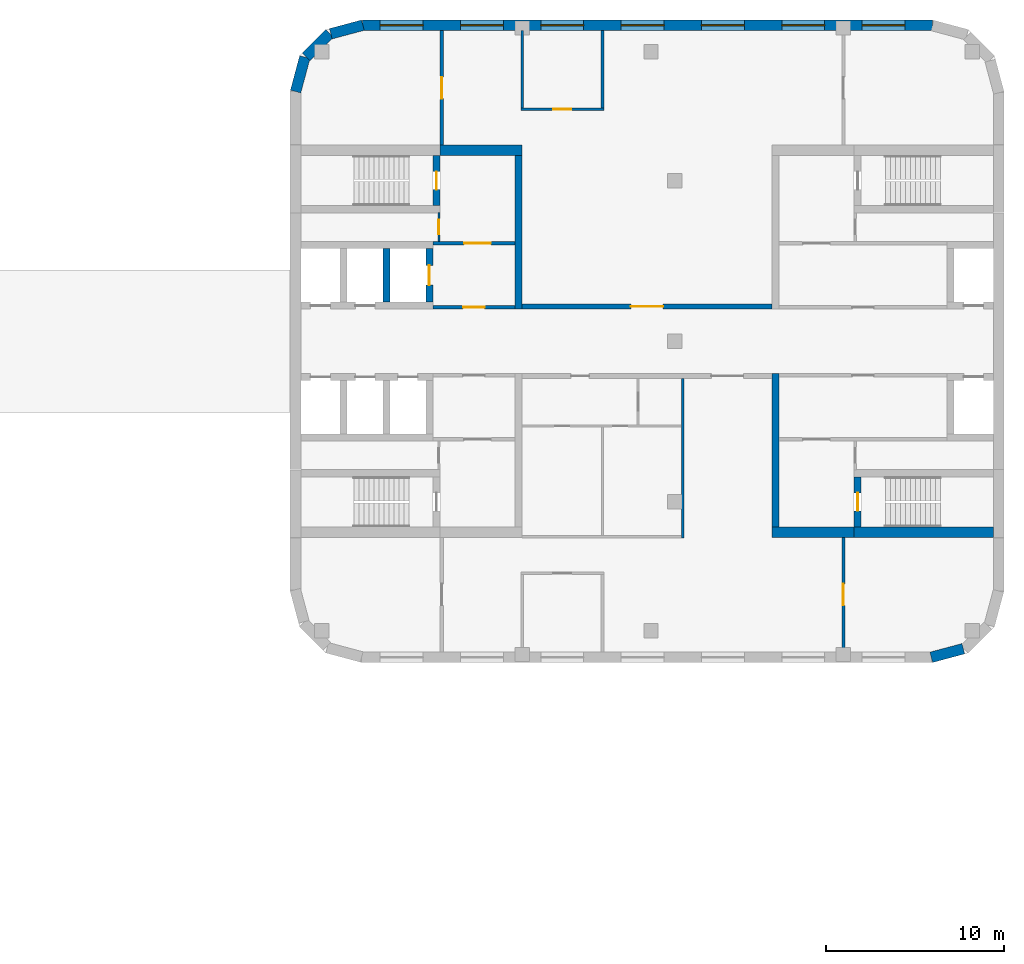
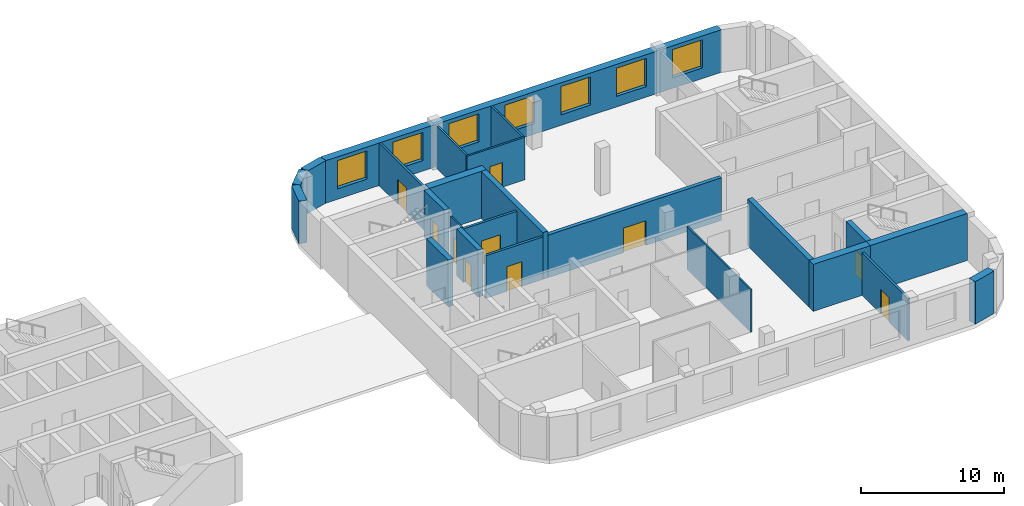
# One storey, part 8 of 12: 24 walls, 10 doors, 7 windows, 17 openings.
"""IFC4 building model written with IfcOpenShell, lengths in metres."""

from ifc_helpers import new_model, si_unit, direction, frame, frame_2d, origin, place, context, subcontext, project, spatial, rectangle, extrude, material, layer, layer_set, type_object, element, fill, save


model = new_model("IFC4")

# Units and contexts
model_context = context("Model", 3, precision=1e-05, world=origin(), true_north=direction((0.0, 1.0)))
body_context = subcontext(model_context, "Body", "Model", "MODEL_VIEW")
ifc_project = project(units=[si_unit("LENGTHUNIT", "METRE"), si_unit("AREAUNIT", "SQUARE_METRE"), si_unit("VOLUMEUNIT", "CUBIC_METRE"), si_unit("PLANEANGLEUNIT", "RADIAN"), si_unit("MASSUNIT", "GRAM", prefix="KILO")], contexts=[model_context])

# Site, building, storey
site_placement = place(None, origin())
site = spatial("IfcSite", under=ifc_project, at=site_placement, CompositionType="ELEMENT")
building_placement = place(site_placement, origin())
building = spatial("IfcBuilding", under=site, at=building_placement, Name="Skarvind Civic Tower", CompositionType="ELEMENT")
storey_placement = place(building_placement, frame((0.0, 0.0, 35.5)))
storey = spatial("IfcBuildingStorey", under=building, at=storey_placement, Name="L07", CompositionType="ELEMENT", Elevation=35.5)

# Wall, opening, door
ifc_material_1 = material(Name="Acoustic gypsum board on steel studs", Category="steel")
ifc_layer_1 = layer(ifc_material_1, 0.175048828125)
ifc_layer_set_1 = layer_set([ifc_layer_1], Name="ACOUSTIC MEETING-ROOM PARTITION 175")
wall_type_1 = type_object("IfcWallType", Name="ACOUSTIC MEETING-ROOM PARTITION 175", PredefinedType="PARTITIONING", material=ifc_layer_set_1)
wall_1_placement = place(storey_placement, frame((135.5, 145.39990234375, 0.0), z_axis=(0.0, 0.0, 1.0), x_axis=(0.0, -1.0, 0.0)))
wall_1 = element("IfcWall", 1, at=wall_1_placement, inside=storey, type_object=wall_type_1, Name="Partition 07.002", PredefinedType="PARTITIONING", context=body_context, shape_type="SweptSolid", body=[
    extrude(rectangle(XDim=6.39990234375, YDim=0.175048828125, at=frame_2d((3.199951171875, 0.0))), origin(), (0.0, 0.0, 1.0), 3.625),
])
opening_1_placement = place(wall_1_placement, frame((2.60009765625, 0.0, 0.0)))
opening_1 = element("IfcOpeningElement", 2, at=opening_1_placement, cuts=wall_1, Name="Opening L07-D103", PredefinedType="OPENING", context=body_context, shape_type="SweptSolid", body=[
    extrude(rectangle(XDim=1.199951171875, YDim=2.10009765625, at=frame_2d((0.60009765625, 1.050048828125))), frame((0.0, 0.097412109375, 0.0), z_axis=(0.0, -1.0, 0.0), x_axis=(1.0, 0.0, 0.0)), (0.0, 0.0, 1.0), 0.195068359375),
])
ifc_material_2 = material(Name="Timber door leaf", Category="wood")
door_type_1 = type_object("IfcDoorType", Name="DOOR 1200X2100 DOUBLE TIMBER", OperationType="NOTDEFINED", PredefinedType="DOOR", material=ifc_material_2)
door_1_placement = place(opening_1_placement, origin())
door_1 = element("IfcDoor", 3, at=door_1_placement, inside=storey, type_object=door_type_1, Name="Door L07-D103", OperationType="DOUBLE_DOOR_SINGLE_SWING", OverallHeight=2.10009765625, OverallWidth=1.199951171875, PredefinedType="DOOR", context=body_context, shape_type="SweptSolid", body=[
    extrude(rectangle(XDim=1.199951171875, YDim=2.10009765625, at=frame_2d((0.60009765625, 1.050048828125))), frame((0.0, 0.02490234375, 0.0), z_axis=(0.0, -1.0, 0.0), x_axis=(1.0, 0.0, 0.0)), (0.0, 0.0, 1.0), 0.050048828125),
])
fill(opening_1, door_1)

wall_2_placement = place(storey_placement, frame((158.0, 110.60009765625, 0.0), z_axis=(0.0, 0.0, 1.0), x_axis=(0.0, 1.0, 0.0)))
wall_2 = element("IfcWall", 4, at=wall_2_placement, inside=storey, type_object=wall_type_1, Name="Partition 07.016", PredefinedType="PARTITIONING", context=body_context, shape_type="SweptSolid", body=[
    extrude(rectangle(XDim=6.39990234375, YDim=0.175048828125, at=frame_2d((3.199951171875, 0.0))), origin(), (0.0, 0.0, 1.0), 3.625),
])
opening_2_placement = place(wall_2_placement, frame((2.60009765625, 0.0, 0.0)))
opening_2 = element("IfcOpeningElement", 5, at=opening_2_placement, cuts=wall_2, Name="Opening L07-D112", PredefinedType="OPENING", context=body_context, shape_type="SweptSolid", body=[
    extrude(rectangle(XDim=1.199951171875, YDim=2.10009765625, at=frame_2d((0.60009765625, 1.050048828125))), frame((0.0, 0.097412109375, 0.0), z_axis=(0.0, -1.0, 0.0), x_axis=(1.0, 0.0, 0.0)), (0.0, 0.0, 1.0), 0.195068359375),
])
door_2_placement = place(opening_2_placement, origin())
door_2 = element("IfcDoor", 6, at=door_2_placement, inside=storey, type_object=door_type_1, Name="Door L07-D112", OperationType="DOUBLE_DOOR_SINGLE_SWING", OverallHeight=2.10009765625, OverallWidth=1.199951171875, PredefinedType="DOOR", context=body_context, shape_type="SweptSolid", body=[
    extrude(rectangle(XDim=1.199951171875, YDim=2.10009765625, at=frame_2d((0.60009765625, 1.050048828125))), frame((0.0, 0.02490234375, 0.0), z_axis=(0.0, -1.0, 0.0), x_axis=(1.0, 0.0, 0.0)), (0.0, 0.0, 1.0), 0.050048828125),
])
fill(opening_2, door_2)

ifc_material_3 = material(Name="Fire-rated gypsum board on steel studs", Category="steel")
ifc_layer_2 = layer(ifc_material_3, 0.300048828125)
ifc_layer_set_2 = layer_set([ifc_layer_2], Name="CORRIDOR WALL 300")
wall_type_2 = type_object("IfcWallType", Name="CORRIDOR WALL 300", PredefinedType="PARTITIONING", material=ifc_layer_set_2)
wall_3_placement = place(storey_placement, frame((140.0, 129.949951171875, 0.0), z_axis=(0.0, 0.0, 1.0), x_axis=(1.0, 0.0, 0.0)))
wall_3 = element("IfcWall", 7, at=wall_3_placement, inside=storey, type_object=wall_type_2, Name="Partition 07.007", PredefinedType="PARTITIONING", context=body_context, shape_type="SweptSolid", body=[
    extrude(rectangle(XDim=14.0, YDim=0.300048828125, at=frame_2d((7.0, 0.0))), origin(), (0.0, 0.0, 1.0), 3.625),
])
opening_3_placement = place(wall_3_placement, frame((6.10009765625, 0.0, 0.0)))
opening_3 = element("IfcOpeningElement", 8, at=opening_3_placement, cuts=wall_3, Name="Opening L07-D101", PredefinedType="OPENING", context=body_context, shape_type="SweptSolid", body=[
    extrude(rectangle(XDim=1.800048828125, YDim=2.10009765625, at=frame_2d((0.89990234375, 1.050048828125))), frame((0.0, 0.159912109375, 0.0), z_axis=(0.0, -1.0, 0.0), x_axis=(1.0, 0.0, 0.0)), (0.0, 0.0, 1.0), 0.320068359375),
])
ifc_material_4 = material(Name="Fire-rated timber door leaf", Category="wood")
door_type_2 = type_object("IfcDoorType", Name="FD4 1800x2100", OperationType="NOTDEFINED", PredefinedType="DOOR", material=ifc_material_4)
door_3_placement = place(opening_3_placement, origin())
door_3 = element("IfcDoor", 9, at=door_3_placement, inside=storey, type_object=door_type_2, Name="Door L07-D101", OperationType="DOUBLE_DOOR_SINGLE_SWING", OverallHeight=2.10009765625, OverallWidth=1.800048828125, PredefinedType="DOOR", context=body_context, shape_type="SweptSolid", body=[
    extrude(rectangle(XDim=1.800048828125, YDim=2.10009765625, at=frame_2d((0.89990234375, 1.050048828125))), frame((0.0, 0.02490234375, 0.0), z_axis=(0.0, -1.0, 0.0), x_axis=(1.0, 0.0, 0.0)), (0.0, 0.0, 1.0), 0.050048828125),
])
fill(opening_3, door_3)

ifc_material_5 = material(Name="Fire-rated masonry partition", Category="masonry")
ifc_layer_3 = layer(ifc_material_5, 0.199951171875)
ifc_layer_set_3 = layer_set([ifc_layer_3], Name="Core enclosure wall 200")
wall_type_3 = type_object("IfcWallType", Name="Core enclosure wall 200", PredefinedType="PARTITIONING", material=ifc_layer_set_3)
wall_4_placement = place(storey_placement, frame((135.0, 129.89990234375, 0.0), z_axis=(0.0, 0.0, 1.0), x_axis=(1.0, 0.0, 0.0)))
wall_4 = element("IfcWall", 10, at=wall_4_placement, inside=storey, type_object=wall_type_3, Name="Core wall CA", PredefinedType="PARTITIONING", context=body_context, shape_type="SweptSolid", body=[
    extrude(rectangle(XDim=4.60009765625, YDim=0.199951171875, at=frame_2d((2.300048828125, 0.0))), origin(), (0.0, 0.0, 1.0), 3.625),
])
opening_4_placement = place(wall_4_placement, frame((1.699951171875, 0.0, 0.0)))
opening_4 = element("IfcOpeningElement", 11, at=opening_4_placement, cuts=wall_4, Name="Opening D-L07-CA-06", PredefinedType="OPENING", context=body_context, shape_type="SweptSolid", body=[
    extrude(rectangle(XDim=1.199951171875, YDim=2.10009765625, at=frame_2d((0.60009765625, 1.050048828125))), frame((0.0, 0.10986328125, 0.0), z_axis=(0.0, -1.0, 0.0), x_axis=(1.0, 0.0, 0.0)), (0.0, 0.0, 1.0), 0.219970703125),
])
ifc_material_6 = material(Name="Fire-rated steel door", Category="steel")
door_type_3 = type_object("IfcDoorType", Name="Core lobby door 1200", OperationType="NOTDEFINED", PredefinedType="DOOR", material=ifc_material_6)
door_4_placement = place(opening_4_placement, origin())
door_4 = element("IfcDoor", 12, at=door_4_placement, inside=storey, type_object=door_type_3, Name="Fire door", OperationType="DOUBLE_DOOR_SINGLE_SWING", OverallHeight=2.10009765625, OverallWidth=1.199951171875, PredefinedType="DOOR", context=body_context, shape_type="SweptSolid", body=[
    extrude(rectangle(XDim=1.199951171875, YDim=2.10009765625, at=frame_2d((0.60009765625, 1.050048828125))), frame((0.0, 0.02490234375, 0.0), z_axis=(0.0, -1.0, 0.0), x_axis=(1.0, 0.0, 0.0)), (0.0, 0.0, 1.0), 0.050048828125),
])
fill(opening_4, door_4)

wall_5_placement = place(storey_placement, frame((135.0, 133.5, 0.0), z_axis=(0.0, 0.0, 1.0), x_axis=(1.0, 0.0, 0.0)))
wall_5 = element("IfcWall", 13, at=wall_5_placement, inside=storey, type_object=wall_type_3, Name="Core wall CA", PredefinedType="PARTITIONING", context=body_context, shape_type="SweptSolid", body=[
    extrude(rectangle(XDim=4.60009765625, YDim=0.199951171875, at=frame_2d((2.300048828125, 0.0))), origin(), (0.0, 0.0, 1.0), 3.625),
])
opening_5_placement = place(wall_5_placement, frame((1.75, 0.0, 0.0)))
opening_5 = element("IfcOpeningElement", 14, at=opening_5_placement, cuts=wall_5, Name="Opening D-L07-CA-07", PredefinedType="OPENING", context=body_context, shape_type="SweptSolid", body=[
    extrude(rectangle(XDim=1.5, YDim=2.10009765625, at=frame_2d((0.75, 1.050048828125))), frame((0.0, 0.10986328125, 0.0), z_axis=(0.0, -1.0, 0.0), x_axis=(1.0, 0.0, 0.0)), (0.0, 0.0, 1.0), 0.219970703125),
])
door_type_4 = type_object("IfcDoorType", Name="Fire door 1500", OperationType="NOTDEFINED", PredefinedType="DOOR", material=ifc_material_6)
door_5_placement = place(opening_5_placement, origin())
door_5 = element("IfcDoor", 15, at=door_5_placement, inside=storey, type_object=door_type_4, Name="Fire door", OperationType="DOUBLE_DOOR_SINGLE_SWING", OverallHeight=2.10009765625, OverallWidth=1.5, PredefinedType="DOOR", context=body_context, shape_type="SweptSolid", body=[
    extrude(rectangle(XDim=1.5, YDim=2.10009765625, at=frame_2d((0.75, 1.050048828125))), frame((0.0, 0.02490234375, 0.0), z_axis=(0.0, -1.0, 0.0), x_axis=(1.0, 0.0, 0.0)), (0.0, 0.0, 1.0), 0.050048828125),
])
fill(opening_5, door_5)

ifc_material_7 = material(Name="Concrete C80", Category="concrete")
ifc_layer_4 = layer(ifc_material_7, 0.39990234375)
ifc_layer_set_4 = layer_set([ifc_layer_4], Name="Core wall 400 C80")
wall_type_4 = type_object("IfcWallType", Name="Core wall 400 C80", PredefinedType="SHEAR", material=ifc_layer_set_4)
wall_6_placement = place(storey_placement, frame((135.199951171875, 135.60009765625, 0.0), z_axis=(0.0, 0.0, 1.0), x_axis=(0.0, 1.0, 0.0)))
wall_6 = element("IfcWall", 16, at=wall_6_placement, inside=storey, type_object=wall_type_4, Name="Core wall CA north stair end L07", PredefinedType="SHEAR", context=body_context, shape_type="SweptSolid", body=[
    extrude(rectangle(XDim=2.7998046875, YDim=0.39990234375, at=frame_2d((1.39990234375, 0.0))), origin(), (0.0, 0.0, 1.0), 4.0),
])
opening_6_placement = place(wall_6_placement, frame((0.89990234375, 0.0, 0.0)))
opening_6 = element("IfcOpeningElement", 17, at=opening_6_placement, cuts=wall_6, Name="Opening D-L07-CA-08", PredefinedType="OPENING", context=body_context, shape_type="SweptSolid", body=[
    extrude(rectangle(XDim=1.0, YDim=2.10009765625, at=frame_2d((0.5, 1.050048828125))), frame((0.0, 0.2099609375, 0.0), z_axis=(0.0, -1.0, 0.0), x_axis=(1.0, 0.0, 0.0)), (0.0, 0.0, 1.0), 0.419921875),
])
door_type_5 = type_object("IfcDoorType", Name="Fire door 1000", OperationType="NOTDEFINED", PredefinedType="DOOR", material=ifc_material_6)
door_6_placement = place(opening_6_placement, origin())
door_6 = element("IfcDoor", 18, at=door_6_placement, inside=storey, type_object=door_type_5, Name="Fire door", OperationType="SINGLE_SWING_LEFT", OverallHeight=2.10009765625, OverallWidth=1.0, PredefinedType="DOOR", context=body_context, shape_type="SweptSolid", body=[
    extrude(rectangle(XDim=1.0, YDim=2.10009765625, at=frame_2d((0.5, 1.050048828125))), frame((0.0, 0.02490234375, 0.0), z_axis=(0.0, -1.0, 0.0), x_axis=(1.0, 0.0, 0.0)), (0.0, 0.0, 1.0), 0.050048828125),
])
fill(opening_6, door_6)

# Wall
wall_7_placement = place(storey_placement, frame((132.39990234375, 130.199951171875, 0.0), z_axis=(0.0, 0.0, 1.0), x_axis=(0.0, 1.0, 0.0)))
element("IfcWall", 19, at=wall_7_placement, inside=storey, type_object=wall_type_4, Name="Core wall CA north lift row division 2 L07", PredefinedType="SHEAR", context=body_context, shape_type="SweptSolid", body=[
    extrude(rectangle(XDim=3.0, YDim=0.39990234375, at=frame_2d((1.5, 0.0))), origin(), (0.0, 0.0, 1.0), 4.0),
])

# Wall, opening, door
wall_8_placement = place(storey_placement, frame((134.800048828125, 130.199951171875, 0.0), z_axis=(0.0, 0.0, 1.0), x_axis=(0.0, 1.0, 0.0)))
wall_8 = element("IfcWall", 20, at=wall_8_placement, inside=storey, type_object=wall_type_4, Name="Core wall CA north lift row division 3 L07", PredefinedType="SHEAR", context=body_context, shape_type="SweptSolid", body=[
    extrude(rectangle(XDim=3.0, YDim=0.39990234375, at=frame_2d((1.5, 0.0))), origin(), (0.0, 0.0, 1.0), 4.0),
])
opening_7_placement = place(wall_8_placement, frame((0.949951171875, 0.0, 0.0)))
opening_7 = element("IfcOpeningElement", 21, at=opening_7_placement, cuts=wall_8, Name="Opening LD09303", PredefinedType="OPENING", context=body_context, shape_type="SweptSolid", body=[
    extrude(rectangle(XDim=1.10009765625, YDim=2.10009765625, at=frame_2d((0.550048828125, 1.050048828125))), frame((0.0, 0.2099609375, 0.0), z_axis=(0.0, -1.0, 0.0), x_axis=(1.0, 0.0, 0.0)), (0.0, 0.0, 1.0), 0.419921875),
])
ifc_material_8 = material(Name="Stainless steel landing door", Category="steel")
door_type_6 = type_object("IfcDoorType", Name="Lift landing door 1100", OperationType="DOUBLE_DOOR_SLIDING", PredefinedType="DOOR", material=ifc_material_8)
door_7_placement = place(opening_7_placement, origin())
door_7 = element("IfcDoor", 22, at=door_7_placement, inside=storey, type_object=door_type_6, Name="Lift landing door", OperationType="DOUBLE_DOOR_SLIDING", OverallHeight=2.10009765625, OverallWidth=1.10009765625, PredefinedType="DOOR", context=body_context, shape_type="SweptSolid", body=[
    extrude(rectangle(XDim=1.10009765625, YDim=2.10009765625, at=frame_2d((0.550048828125, 1.050048828125))), frame((0.0, 0.02490234375, 0.0), z_axis=(0.0, -1.0, 0.0), x_axis=(1.0, 0.0, 0.0)), (0.0, 0.0, 1.0), 0.050048828125),
])
fill(opening_7, door_7)

# Wall
wall_9_placement = place(storey_placement, frame((139.800048828125, 129.800048828125, 0.0), z_axis=(0.0, 0.0, 1.0), x_axis=(0.0, 1.0, 0.0)))
element("IfcWall", 23, at=wall_9_placement, inside=storey, type_object=wall_type_4, Name="Core wall CA north inner face L07", PredefinedType="SHEAR", context=body_context, shape_type="SweptSolid", body=[
    extrude(rectangle(XDim=8.599853515625, YDim=0.39990234375, at=frame_2d((4.2998046875, 0.0))), origin(), (0.0, 0.0, 1.0), 4.0),
])

# Wall, opening, door
wall_10_placement = place(storey_placement, frame((158.800048828125, 120.39990234375, 0.0), z_axis=(0.0, 0.0, 1.0), x_axis=(0.0, -1.0, 0.0)))
wall_10 = element("IfcWall", 24, at=wall_10_placement, inside=storey, type_object=wall_type_4, Name="Core wall CB north stair end L07", PredefinedType="SHEAR", context=body_context, shape_type="SweptSolid", body=[
    extrude(rectangle(XDim=2.7998046875, YDim=0.39990234375, at=frame_2d((1.39990234375, 0.0))), origin(), (0.0, 0.0, 1.0), 4.0),
])
opening_8_placement = place(wall_10_placement, frame((0.89990234375, 0.0, 0.0)))
opening_8 = element("IfcOpeningElement", 25, at=opening_8_placement, cuts=wall_10, Name="Opening D-L07-CB-05", PredefinedType="OPENING", context=body_context, shape_type="SweptSolid", body=[
    extrude(rectangle(XDim=1.0, YDim=2.10009765625, at=frame_2d((0.5, 1.050048828125))), frame((0.0, 0.2099609375, 0.0), z_axis=(0.0, -1.0, 0.0), x_axis=(1.0, 0.0, 0.0)), (0.0, 0.0, 1.0), 0.419921875),
])
door_8_placement = place(opening_8_placement, origin())
door_8 = element("IfcDoor", 26, at=door_8_placement, inside=storey, type_object=door_type_5, Name="Fire door", OperationType="SINGLE_SWING_LEFT", OverallHeight=2.10009765625, OverallWidth=1.0, PredefinedType="DOOR", context=body_context, shape_type="SweptSolid", body=[
    extrude(rectangle(XDim=1.0, YDim=2.10009765625, at=frame_2d((0.5, 1.050048828125))), frame((0.0, 0.02490234375, 0.0), z_axis=(0.0, -1.0, 0.0), x_axis=(1.0, 0.0, 0.0)), (0.0, 0.0, 1.0), 0.050048828125),
])
fill(opening_8, door_8)

# Walls
wall_11_placement = place(storey_placement, frame((154.199951171875, 126.199951171875, 0.0), z_axis=(0.0, 0.0, 1.0), x_axis=(0.0, -1.0, 0.0)))
element("IfcWall", 27, at=wall_11_placement, inside=storey, type_object=wall_type_4, Name="Core wall CB north inner face L07", PredefinedType="SHEAR", context=body_context, shape_type="SweptSolid", body=[
    extrude(rectangle(XDim=8.599853515625, YDim=0.39990234375, at=frame_2d((4.2998046875, 0.0))), origin(), (0.0, 0.0, 1.0), 4.0),
])
ifc_layer_5 = layer(ifc_material_7, 0.60009765625)
ifc_layer_set_5 = layer_set([ifc_layer_5], Name="Core wall 600 C80")
wall_type_5 = type_object("IfcWallType", Name="Core wall 600 C80", PredefinedType="SHEAR", material=ifc_layer_set_5)
wall_12_placement = place(storey_placement, frame((135.39990234375, 138.699951171875, 0.0), z_axis=(0.0, 0.0, 1.0), x_axis=(1.0, 0.0, 0.0)))
element("IfcWall", 28, at=wall_12_placement, inside=storey, type_object=wall_type_5, Name="Core wall CA north side L07", PredefinedType="SHEAR", context=body_context, shape_type="SweptSolid", body=[
    extrude(rectangle(XDim=4.60009765625, YDim=0.60009765625, at=frame_2d((2.300048828125, 0.0))), origin(), (0.0, 0.0, 1.0), 4.0),
])
wall_13_placement = place(storey_placement, frame((166.39990234375, 117.300048828125, 0.0), z_axis=(0.0, 0.0, 1.0), x_axis=(-1.0, 0.0, 0.0)))
element("IfcWall", 29, at=wall_13_placement, inside=storey, type_object=wall_type_5, Name="Core wall CB north side at the stair L07", PredefinedType="SHEAR", context=body_context, shape_type="SweptSolid", body=[
    extrude(rectangle(XDim=7.7998046875, YDim=0.60009765625, at=frame_2d((3.89990234375, 0.0))), origin(), (0.0, 0.0, 1.0), 4.0),
])
wall_14_placement = place(storey_placement, frame((158.60009765625, 117.300048828125, 0.0), z_axis=(0.0, 0.0, 1.0), x_axis=(-1.0, 0.0, 0.0)))
element("IfcWall", 30, at=wall_14_placement, inside=storey, type_object=wall_type_5, Name="Core wall CB north side L07", PredefinedType="SHEAR", context=body_context, shape_type="SweptSolid", body=[
    extrude(rectangle(XDim=4.60009765625, YDim=0.60009765625, at=frame_2d((2.300048828125, 0.0))), origin(), (0.0, 0.0, 1.0), 4.0),
])
ifc_material_9 = material(Name="Plasterboard partition on steel studs", Category="steel")
ifc_layer_6 = layer(ifc_material_9, 0.14990234375)
ifc_layer_set_6 = layer_set([ifc_layer_6], Name="PARTITION 150")
wall_type_6 = type_object("IfcWallType", Name="PARTITION 150", PredefinedType="PARTITIONING", material=ifc_layer_set_6)
wall_15_placement = place(storey_placement, frame((140.0, 141.074951171875, 0.0), z_axis=(0.0, 0.0, 1.0), x_axis=(0.0, 1.0, 0.0)))
element("IfcWall", 31, at=wall_15_placement, inside=storey, type_object=wall_type_6, Name="Partition 07.008", PredefinedType="PARTITIONING", context=body_context, shape_type="SweptSolid", body=[
    extrude(rectangle(XDim=4.324951171875, YDim=0.14990234375, at=frame_2d((2.16259765625, 0.0))), origin(), (0.0, 0.0, 1.0), 3.625),
])

# Wall, opening, door
wall_16_placement = place(storey_placement, frame((144.574951171875, 141.0, 0.0), z_axis=(0.0, 0.0, 1.0), x_axis=(-1.0, 0.0, 0.0)))
wall_16 = element("IfcWall", 32, at=wall_16_placement, inside=storey, type_object=wall_type_6, Name="Partition 07.011", PredefinedType="PARTITIONING", context=body_context, shape_type="SweptSolid", body=[
    extrude(rectangle(XDim=4.64990234375, YDim=0.14990234375, at=frame_2d((2.324951171875, 0.0))), origin(), (0.0, 0.0, 1.0), 3.625),
])
opening_9_placement = place(wall_16_placement, frame((1.824951171875, 0.0, 0.0)))
opening_9 = element("IfcOpeningElement", 33, at=opening_9_placement, cuts=wall_16, Name="Opening L07-D102", PredefinedType="OPENING", context=body_context, shape_type="SweptSolid", body=[
    extrude(rectangle(XDim=1.0, YDim=2.10009765625, at=frame_2d((0.5, 1.050048828125))), frame((0.0, 0.0849609375, 0.0), z_axis=(0.0, -1.0, 0.0), x_axis=(1.0, 0.0, 0.0)), (0.0, 0.0, 1.0), 0.169921875),
])
door_type_7 = type_object("IfcDoorType", Name="D1 1000x2100", OperationType="NOTDEFINED", PredefinedType="DOOR", material=ifc_material_2)
door_9_placement = place(opening_9_placement, origin())
door_9 = element("IfcDoor", 34, at=door_9_placement, inside=storey, type_object=door_type_7, Name="Door L07-D102", OperationType="SINGLE_SWING_LEFT", OverallHeight=2.10009765625, OverallWidth=1.0, PredefinedType="DOOR", context=body_context, shape_type="SweptSolid", body=[
    extrude(rectangle(XDim=1.0, YDim=2.10009765625, at=frame_2d((0.5, 1.050048828125))), frame((0.0, 0.02490234375, 0.0), z_axis=(0.0, -1.0, 0.0), x_axis=(1.0, 0.0, 0.0)), (0.0, 0.0, 1.0), 0.050048828125),
])
fill(opening_9, door_9)

# Wall
wall_17_placement = place(storey_placement, frame((144.5, 145.39990234375, 0.0), z_axis=(0.0, 0.0, 1.0), x_axis=(0.0, -1.0, 0.0)))
element("IfcWall", 35, at=wall_17_placement, inside=storey, type_object=wall_type_6, Name="Partition 07.012", PredefinedType="PARTITIONING", context=body_context, shape_type="SweptSolid", body=[
    extrude(rectangle(XDim=4.324951171875, YDim=0.14990234375, at=frame_2d((2.16259765625, 0.0))), origin(), (0.0, 0.0, 1.0), 3.625),
])

# Wall, opening, door
ifc_layer_7 = layer(ifc_material_5, 0.125)
ifc_layer_set_7 = layer_set([ifc_layer_7], Name="Riser wall 125")
wall_type_7 = type_object("IfcWallType", Name="Riser wall 125", PredefinedType="PARTITIONING", material=ifc_layer_set_7)
wall_18_placement = place(storey_placement, frame((135.33740234375, 135.199951171875, 0.0), z_axis=(0.0, 0.0, 1.0), x_axis=(0.0, -1.0, 0.0)))
wall_18 = element("IfcWall", 36, at=wall_18_placement, inside=storey, type_object=wall_type_7, Name="Core wall CA", PredefinedType="PARTITIONING", context=body_context, shape_type="SweptSolid", body=[
    extrude(rectangle(XDim=1.599853515625, YDim=0.125, at=frame_2d((0.7998046875, 0.0))), origin(), (0.0, 0.0, 1.0), 3.625),
])
opening_10_placement = place(wall_18_placement, frame((0.39990234375, 0.0, 0.0)))
opening_10 = element("IfcOpeningElement", 37, at=opening_10_placement, cuts=wall_18, Name="Opening D-L07-CA-09", PredefinedType="OPENING", context=body_context, shape_type="SweptSolid", body=[
    extrude(rectangle(XDim=0.800048828125, YDim=2.10009765625, at=frame_2d((0.39990234375, 1.050048828125))), frame((0.0, 0.072509765625, 0.0), z_axis=(0.0, -1.0, 0.0), x_axis=(1.0, 0.0, 0.0)), (0.0, 0.0, 1.0), 0.14501953125),
])
door_type_8 = type_object("IfcDoorType", Name="Core riser door 800", OperationType="NOTDEFINED", PredefinedType="DOOR", material=ifc_material_6)
door_10_placement = place(opening_10_placement, origin())
door_10 = element("IfcDoor", 38, at=door_10_placement, inside=storey, type_object=door_type_8, Name="Riser door", OperationType="SINGLE_SWING_RIGHT", OverallHeight=2.10009765625, OverallWidth=0.800048828125, PredefinedType="DOOR", context=body_context, shape_type="SweptSolid", body=[
    extrude(rectangle(XDim=0.800048828125, YDim=2.10009765625, at=frame_2d((0.39990234375, 1.050048828125))), frame((0.0, 0.02490234375, 0.0), z_axis=(0.0, -1.0, 0.0), x_axis=(1.0, 0.0, 0.0)), (0.0, 0.0, 1.0), 0.050048828125),
])
fill(opening_10, door_10)

# Wall
ifc_material_10 = material(Name="Moisture-resistant gypsum board on steel studs", Category="steel")
ifc_layer_8 = layer(ifc_material_10, 0.125)
ifc_layer_set_8 = layer_set([ifc_layer_8], Name="WC PARTITION 125")
wall_type_8 = type_object("IfcWallType", Name="WC PARTITION 125", PredefinedType="PARTITIONING", material=ifc_layer_set_8)
wall_19_placement = place(storey_placement, frame((149.0, 116.988037109375, 0.0), z_axis=(0.0, 0.0, 1.0), x_axis=(0.0, 1.0, 0.0)))
element("IfcWall", 39, at=wall_19_placement, inside=storey, type_object=wall_type_8, Name="Partition 07.014", PredefinedType="PARTITIONING", context=body_context, shape_type="SweptSolid", body=[
    extrude(rectangle(XDim=8.911865234375, YDim=0.125, at=frame_2d((4.4560546875, 0.0))), origin(), (0.0, 0.0, 1.0), 3.625),
])

# Wall, openings, windows
ifc_material_11 = material(Name="Limestone masonry cladding on insulated backing", Category="masonry")
ifc_layer_9 = layer(ifc_material_11, 0.60009765625)
ifc_layer_set_9 = layer_set([ifc_layer_9], Name="WX1 STONE FACADE WALL 600")
wall_type_9 = type_object("IfcWallType", Name="WX1 STONE FACADE WALL 600", PredefinedType="SOLIDWALL", material=ifc_layer_set_9)
wall_20_placement = place(storey_placement, frame((131.070068359375, 145.699951171875, 0.0), z_axis=(0.0, 0.0, 1.0), x_axis=(1.0, 0.0, 0.0)))
wall_20 = element("IfcWall", 40, at=wall_20_placement, inside=storey, type_object=wall_type_9, Name="STONE FACADE WALL", PredefinedType="SOLIDWALL", context=body_context, shape_type="SweptSolid", body=[
    extrude(rectangle(XDim=31.929931640625, YDim=0.60009765625, at=frame_2d((15.96484375, 0.0))), origin(), (0.0, 0.0, 1.0), 3.625),
])
opening_11_placement = place(wall_20_placement, frame((0.97998046875, 0.0, 0.89990234375)))
opening_11 = element("IfcOpeningElement", 41, at=opening_11_placement, cuts=wall_20, Name="Opening WN9", PredefinedType="OPENING", context=body_context, shape_type="SweptSolid", body=[
    extrude(rectangle(XDim=2.39990234375, YDim=2.39990234375, at=frame_2d((1.199951171875, 1.199951171875))), frame((0.0, 0.31005859375, 0.0), z_axis=(0.0, -1.0, 0.0), x_axis=(1.0, 0.0, 0.0)), (0.0, 0.0, 1.0), 0.6201171875),
])
opening_12_placement = place(wall_20_placement, frame((5.47998046875, 0.0, 0.89990234375)))
opening_12 = element("IfcOpeningElement", 42, at=opening_12_placement, cuts=wall_20, Name="Opening WN9", PredefinedType="OPENING", context=body_context, shape_type="SweptSolid", body=[
    extrude(rectangle(XDim=2.39990234375, YDim=2.39990234375, at=frame_2d((1.199951171875, 1.199951171875))), frame((0.0, 0.31005859375, 0.0), z_axis=(0.0, -1.0, 0.0), x_axis=(1.0, 0.0, 0.0)), (0.0, 0.0, 1.0), 0.6201171875),
])
opening_13_placement = place(wall_20_placement, frame((9.97998046875, 0.0, 0.89990234375)))
opening_13 = element("IfcOpeningElement", 43, at=opening_13_placement, cuts=wall_20, Name="Opening WN9", PredefinedType="OPENING", context=body_context, shape_type="SweptSolid", body=[
    extrude(rectangle(XDim=2.39990234375, YDim=2.39990234375, at=frame_2d((1.199951171875, 1.199951171875))), frame((0.0, 0.31005859375, 0.0), z_axis=(0.0, -1.0, 0.0), x_axis=(1.0, 0.0, 0.0)), (0.0, 0.0, 1.0), 0.6201171875),
])
opening_14_placement = place(wall_20_placement, frame((14.47998046875, 0.0, 0.89990234375)))
opening_14 = element("IfcOpeningElement", 44, at=opening_14_placement, cuts=wall_20, Name="Opening WN9", PredefinedType="OPENING", context=body_context, shape_type="SweptSolid", body=[
    extrude(rectangle(XDim=2.39990234375, YDim=2.39990234375, at=frame_2d((1.199951171875, 1.199951171875))), frame((0.0, 0.31005859375, 0.0), z_axis=(0.0, -1.0, 0.0), x_axis=(1.0, 0.0, 0.0)), (0.0, 0.0, 1.0), 0.6201171875),
])
opening_15_placement = place(wall_20_placement, frame((18.97998046875, 0.0, 0.89990234375)))
opening_15 = element("IfcOpeningElement", 45, at=opening_15_placement, cuts=wall_20, Name="Opening WN9", PredefinedType="OPENING", context=body_context, shape_type="SweptSolid", body=[
    extrude(rectangle(XDim=2.39990234375, YDim=2.39990234375, at=frame_2d((1.199951171875, 1.199951171875))), frame((0.0, 0.31005859375, 0.0), z_axis=(0.0, -1.0, 0.0), x_axis=(1.0, 0.0, 0.0)), (0.0, 0.0, 1.0), 0.6201171875),
])
opening_16_placement = place(wall_20_placement, frame((23.47998046875, 0.0, 0.89990234375)))
opening_16 = element("IfcOpeningElement", 46, at=opening_16_placement, cuts=wall_20, Name="Opening WN9", PredefinedType="OPENING", context=body_context, shape_type="SweptSolid", body=[
    extrude(rectangle(XDim=2.39990234375, YDim=2.39990234375, at=frame_2d((1.199951171875, 1.199951171875))), frame((0.0, 0.31005859375, 0.0), z_axis=(0.0, -1.0, 0.0), x_axis=(1.0, 0.0, 0.0)), (0.0, 0.0, 1.0), 0.6201171875),
])
opening_17_placement = place(wall_20_placement, frame((27.97998046875, 0.0, 0.89990234375)))
opening_17 = element("IfcOpeningElement", 47, at=opening_17_placement, cuts=wall_20, Name="Opening WN9", PredefinedType="OPENING", context=body_context, shape_type="SweptSolid", body=[
    extrude(rectangle(XDim=2.39990234375, YDim=2.39990234375, at=frame_2d((1.199951171875, 1.199951171875))), frame((0.0, 0.31005859375, 0.0), z_axis=(0.0, -1.0, 0.0), x_axis=(1.0, 0.0, 0.0)), (0.0, 0.0, 1.0), 0.6201171875),
])
ifc_material_12 = material(Name="Timber frame, double glazing, timber-lined reveal", Category="wood")
window_type = type_object("IfcWindowType", Name="WN9 COMPANION TOWER WINDOW 2400 x 2400", PartitioningType="SINGLE_PANEL", PredefinedType="WINDOW", material=ifc_material_12)
window_1_placement = place(opening_11_placement, origin())
window_1 = element("IfcWindow", 48, at=window_1_placement, inside=storey, type_object=window_type, Name="WN9 WINDOW", OverallHeight=2.39990234375, OverallWidth=2.39990234375, PartitioningType="SINGLE_PANEL", PredefinedType="WINDOW", context=body_context, shape_type="SweptSolid", body=[
    extrude(rectangle(XDim=2.39990234375, YDim=2.39990234375, at=frame_2d((1.199951171875, 1.199951171875))), frame((0.0, 0.030029296875, 0.0), z_axis=(0.0, -1.0, 0.0), x_axis=(1.0, 0.0, 0.0)), (0.0, 0.0, 1.0), 0.06005859375),
])
fill(opening_11, window_1)
window_2_placement = place(opening_12_placement, origin())
window_2 = element("IfcWindow", 49, at=window_2_placement, inside=storey, type_object=window_type, Name="WN9 WINDOW", OverallHeight=2.39990234375, OverallWidth=2.39990234375, PartitioningType="SINGLE_PANEL", PredefinedType="WINDOW", context=body_context, shape_type="SweptSolid", body=[
    extrude(rectangle(XDim=2.39990234375, YDim=2.39990234375, at=frame_2d((1.199951171875, 1.199951171875))), frame((0.0, 0.030029296875, 0.0), z_axis=(0.0, -1.0, 0.0), x_axis=(1.0, 0.0, 0.0)), (0.0, 0.0, 1.0), 0.06005859375),
])
fill(opening_12, window_2)
window_3_placement = place(opening_13_placement, origin())
window_3 = element("IfcWindow", 50, at=window_3_placement, inside=storey, type_object=window_type, Name="WN9 WINDOW", OverallHeight=2.39990234375, OverallWidth=2.39990234375, PartitioningType="SINGLE_PANEL", PredefinedType="WINDOW", context=body_context, shape_type="SweptSolid", body=[
    extrude(rectangle(XDim=2.39990234375, YDim=2.39990234375, at=frame_2d((1.199951171875, 1.199951171875))), frame((0.0, 0.030029296875, 0.0), z_axis=(0.0, -1.0, 0.0), x_axis=(1.0, 0.0, 0.0)), (0.0, 0.0, 1.0), 0.06005859375),
])
fill(opening_13, window_3)
window_4_placement = place(opening_14_placement, origin())
window_4 = element("IfcWindow", 51, at=window_4_placement, inside=storey, type_object=window_type, Name="WN9 WINDOW", OverallHeight=2.39990234375, OverallWidth=2.39990234375, PartitioningType="SINGLE_PANEL", PredefinedType="WINDOW", context=body_context, shape_type="SweptSolid", body=[
    extrude(rectangle(XDim=2.39990234375, YDim=2.39990234375, at=frame_2d((1.199951171875, 1.199951171875))), frame((0.0, 0.030029296875, 0.0), z_axis=(0.0, -1.0, 0.0), x_axis=(1.0, 0.0, 0.0)), (0.0, 0.0, 1.0), 0.06005859375),
])
fill(opening_14, window_4)
window_5_placement = place(opening_15_placement, origin())
window_5 = element("IfcWindow", 52, at=window_5_placement, inside=storey, type_object=window_type, Name="WN9 WINDOW", OverallHeight=2.39990234375, OverallWidth=2.39990234375, PartitioningType="SINGLE_PANEL", PredefinedType="WINDOW", context=body_context, shape_type="SweptSolid", body=[
    extrude(rectangle(XDim=2.39990234375, YDim=2.39990234375, at=frame_2d((1.199951171875, 1.199951171875))), frame((0.0, 0.030029296875, 0.0), z_axis=(0.0, -1.0, 0.0), x_axis=(1.0, 0.0, 0.0)), (0.0, 0.0, 1.0), 0.06005859375),
])
fill(opening_15, window_5)
window_6_placement = place(opening_16_placement, origin())
window_6 = element("IfcWindow", 53, at=window_6_placement, inside=storey, type_object=window_type, Name="WN9 WINDOW", OverallHeight=2.39990234375, OverallWidth=2.39990234375, PartitioningType="SINGLE_PANEL", PredefinedType="WINDOW", context=body_context, shape_type="SweptSolid", body=[
    extrude(rectangle(XDim=2.39990234375, YDim=2.39990234375, at=frame_2d((1.199951171875, 1.199951171875))), frame((0.0, 0.030029296875, 0.0), z_axis=(0.0, -1.0, 0.0), x_axis=(1.0, 0.0, 0.0)), (0.0, 0.0, 1.0), 0.06005859375),
])
fill(opening_16, window_6)
window_7_placement = place(opening_17_placement, origin())
window_7 = element("IfcWindow", 54, at=window_7_placement, inside=storey, type_object=window_type, Name="WN9 WINDOW", OverallHeight=2.39990234375, OverallWidth=2.39990234375, PartitioningType="SINGLE_PANEL", PredefinedType="WINDOW", context=body_context, shape_type="SweptSolid", body=[
    extrude(rectangle(XDim=2.39990234375, YDim=2.39990234375, at=frame_2d((1.199951171875, 1.199951171875))), frame((0.0, 0.030029296875, 0.0), z_axis=(0.0, -1.0, 0.0), x_axis=(1.0, 0.0, 0.0)), (0.0, 0.0, 1.0), 0.06005859375),
])
fill(opening_17, window_7)

# Walls
for number, where, z_axis, x_axis, name in (
    (55, (129.280517578125, 145.228759765625, 0.0), (0.0, 0.0, 1.0), (0.965938094805, 0.258773254036, 0.0), "STONE FACADE WALL"),
    (56, (127.896484375, 143.936279296875, 0.0), (0.0, 0.0, 1.0), (0.707106781187, 0.707106781187, 0.0), "STONE FACADE WALL"),
):
    element("IfcWall", number, at=place(storey_placement, frame(where, z_axis=z_axis, x_axis=x_axis)), inside=storey, type_object=wall_type_9, Name=name, PredefinedType="SOLIDWALL", context=body_context, shape_type="SweptSolid", body=[
        extrude(rectangle(XDim=1.860595703125, YDim=0.60009765625, at=frame_2d((0.93017578125, 0.0))), origin(), (0.0, 0.0, 1.0), 3.625),
    ])
wall_21_placement = place(storey_placement, frame((127.307861328125, 141.989990234375, 0.0), z_axis=(0.0, 0.0, 1.0), x_axis=(0.258839784042, 0.965920269068, 0.0)))
element("IfcWall", 57, at=wall_21_placement, inside=storey, type_object=wall_type_9, Name="STONE FACADE WALL", PredefinedType="SOLIDWALL", context=body_context, shape_type="SweptSolid", body=[
    extrude(rectangle(XDim=2.00048828125, YDim=0.60009765625, at=frame_2d((1.000244140625, 0.0))), origin(), (0.0, 0.0, 1.0), 3.625),
])
wall_22_placement = place(storey_placement, frame((164.719482421875, 110.771240234375, 0.0), z_axis=(0.0, 0.0, 1.0), x_axis=(-0.965938094805, -0.258773254036, 0.0)))
element("IfcWall", 58, at=wall_22_placement, inside=storey, type_object=wall_type_9, Name="STONE FACADE WALL", PredefinedType="SOLIDWALL", context=body_context, shape_type="SweptSolid", body=[
    extrude(rectangle(XDim=1.860595703125, YDim=0.60009765625, at=frame_2d((0.93017578125, 0.0))), origin(), (0.0, 0.0, 1.0), 3.625),
])

save(model, "model.ifc")
